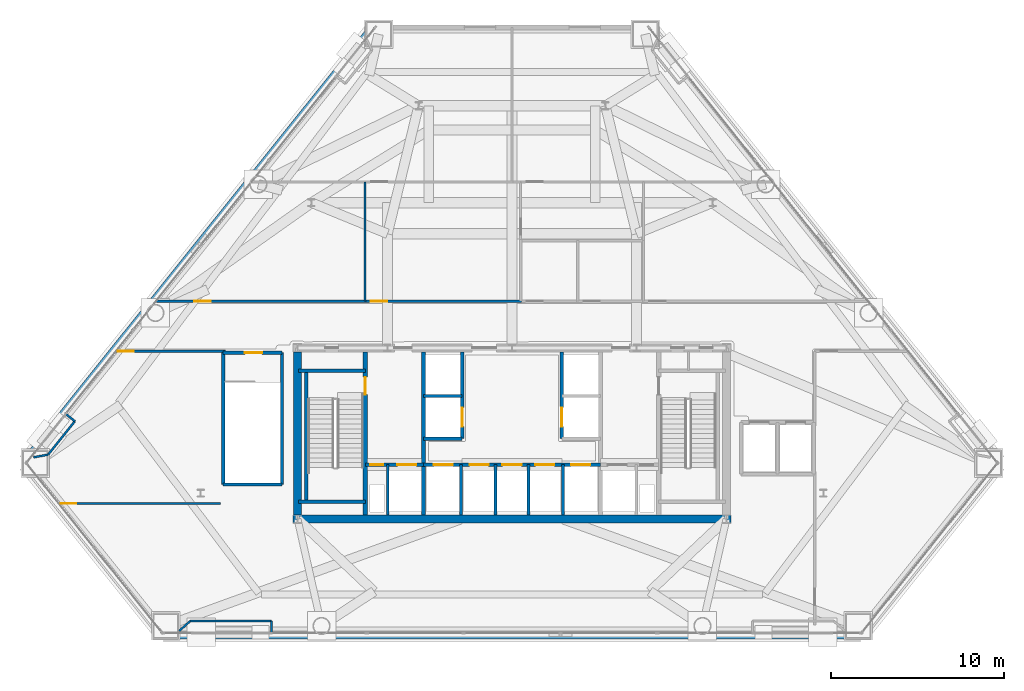
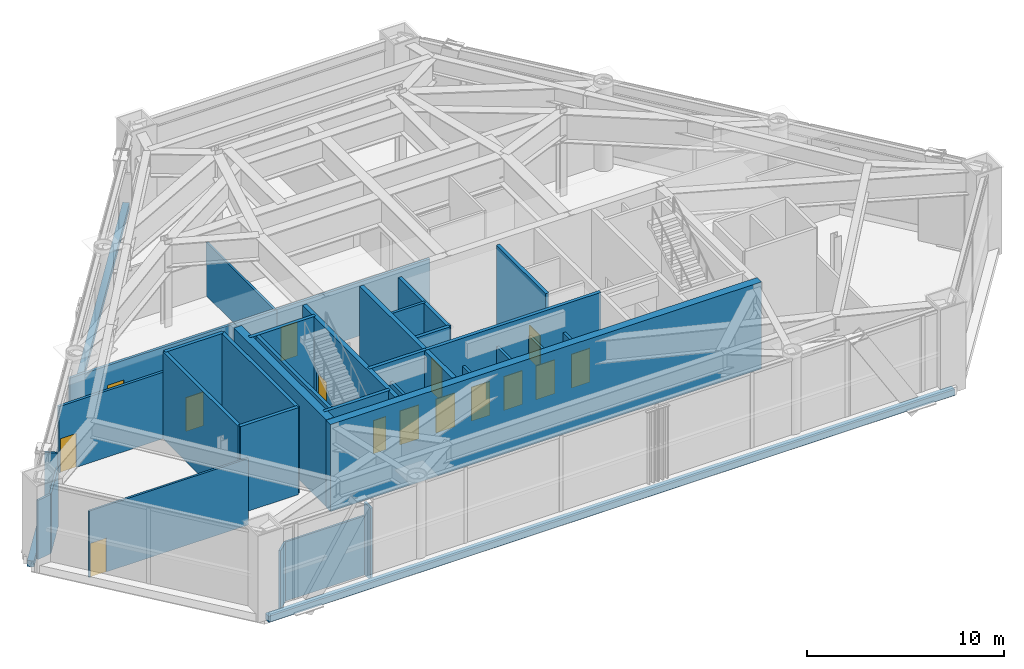
# One storey, part 8 of 13: 35 walls, 15 doors, 15 openings.
"""IFC4 building model written with IfcOpenShell, lengths in metres."""

import ifcopenshell
import ifcopenshell.guid

model = None  # the IFC model being written
_history = None  # IfcOwnerHistory: only IFC2X3 demands one
_inside = {}  # id of a spatial element -> (the spatial element, [elements in it])
_under = {}  # id of a project, library or spatial element -> (it, [spatial elements below it])
_declared = {}  # id of a project -> (the project, [libraries it declares])
_typed = {}  # id of a type object -> (the type object, [elements of that type])
_made_of = {}  # id of a material, layer set ... -> (it, [elements and type objects made of it])


def new_model(schema):
    """Start an empty IFC model of exactly this schema.

    Asked for "IFC4X3", IfcOpenShell would pick the latest addendum, in which some entities
    have other attributes; the version numbers below select the first issue.
    IFC2X3 requires an IfcOwnerHistory on every rooted entity: one is made here for all.
    """
    global model, _history
    if schema == "IFC4X3":
        model = ifcopenshell.file(schema_version=(4, 3, 0, 0))
    else:
        model = ifcopenshell.file(schema=schema)
    _inside.clear()
    _under.clear()
    _declared.clear()
    _typed.clear()
    _made_of.clear()
    _history = None
    if model.schema == "IFC2X3":
        org = make("IfcOrganization", Name="unknown")
        user = make(
            "IfcPersonAndOrganization",
            ThePerson=make("IfcPerson", FamilyName="unknown"),
            TheOrganization=org,
        )
        app = make(
            "IfcApplication",
            ApplicationDeveloper=org,
            Version="unknown",
            ApplicationFullName="unknown",
            ApplicationIdentifier="unknown",
        )
        _history = make(
            "IfcOwnerHistory",
            OwningUser=user,
            OwningApplication=app,
            ChangeAction="ADDED",
            CreationDate=0,
        )
    return model


def make(cls, **values):
    """One entity of the class cls with the attributes given. An attribute that is None is left unset."""
    return model.create_entity(
        cls, **{name: value for name, value in values.items() if value is not None}
    )


def rooted(cls, **values):
    """An entity with a GlobalId (a new one), such as an element, a storey or a relation."""
    return make(cls, GlobalId=ifcopenshell.guid.new(), OwnerHistory=_history, **values)


def si_unit(unit_type, name, prefix=None):
    """IfcSIUnit, for example si_unit("LENGTHUNIT", "METRE", prefix="MILLI")."""
    return make("IfcSIUnit", UnitType=unit_type, Prefix=prefix, Name=name)


def assignment(units):
    """IfcUnitAssignment: the units of a project."""
    return None if units is None else make("IfcUnitAssignment", Units=units)


def point(xyz):
    """IfcCartesianPoint."""
    return None if xyz is None else make("IfcCartesianPoint", Coordinates=xyz)


def direction(xyz):
    """IfcDirection."""
    return None if xyz is None else make("IfcDirection", DirectionRatios=xyz)


def frame(location, z_axis=None, x_axis=None):
    """IfcAxis2Placement3D, a coordinate frame: its origin and axes. An axis left out is left unset."""
    return make(
        "IfcAxis2Placement3D",
        Location=point(location),
        Axis=direction(z_axis),
        RefDirection=direction(x_axis),
    )


def frame_2d(location, x_axis=None):
    """IfcAxis2Placement2D, a coordinate frame in the plane: its origin and x axis."""
    return make(
        "IfcAxis2Placement2D", Location=point(location), RefDirection=direction(x_axis)
    )


def origin():
    """The frame at (0, 0, 0) with its axes left unset."""
    return frame((0.0, 0.0, 0.0))


def place(relative_to, where):
    """IfcLocalPlacement: puts the frame where relative to a parent placement (None: the world)."""
    return make(
        "IfcLocalPlacement", PlacementRelTo=relative_to, RelativePlacement=where
    )


def context(
    kind, dimensions, precision=None, world=None, true_north=None, identifier=None
):
    """IfcGeometricRepresentationContext, for example the 3D "Model" context."""
    return make(
        "IfcGeometricRepresentationContext",
        ContextIdentifier=identifier,
        ContextType=kind,
        CoordinateSpaceDimension=dimensions,
        Precision=precision,
        WorldCoordinateSystem=world,
        TrueNorth=true_north,
    )


def subcontext(parent, identifier, kind, view, scale=None):
    """IfcGeometricRepresentationSubContext, for example "Body" below "Model"."""
    return make(
        "IfcGeometricRepresentationSubContext",
        ContextIdentifier=identifier,
        ContextType=kind,
        ParentContext=parent,
        TargetScale=scale,
        TargetView=view,
    )


def project(units=None, contexts=None):
    """IfcProject with its units and contexts."""
    return rooted(
        "IfcProject",
        Name="project",
        RepresentationContexts=contexts,
        UnitsInContext=assignment(units),
    )


def spatial(cls, under=None, at=None, **own):
    """A site, building, storey or space (cls), placed at a placement, below another one or the project."""
    s = rooted(cls, ObjectPlacement=at, **own)
    if under is not None:
        _under.setdefault(under.id(), (under, []))[1].append(s)
    return s


def profile(cls, at=None, kind="AREA", **sizes):
    """A parametric profile (cls). Its sizes go by their IFC names, for example OverallWidth=200.0."""
    return make(cls, ProfileType=kind, Position=at, **sizes)


def rectangle(**sizes):
    """IfcRectangleProfileDef."""
    return profile("IfcRectangleProfileDef", **sizes)


def extrude(swept, where, along, depth):
    """IfcExtrudedAreaSolid: the profile swept, set in the frame where, extruded along a direction by depth."""
    return make(
        "IfcExtrudedAreaSolid",
        SweptArea=swept,
        Position=where,
        ExtrudedDirection=direction(along),
        Depth=depth,
    )


def shape(context_of_items, identifier, shape_type, items):
    """IfcShapeRepresentation: the items that make up one representation, for example the "Body"."""
    return make(
        "IfcShapeRepresentation",
        ContextOfItems=context_of_items,
        RepresentationIdentifier=identifier,
        RepresentationType=shape_type,
        Items=items,
    )


def material(Name=None, Category=None):
    """IfcMaterial."""
    return make("IfcMaterial", Name=Name, Category=Category)


def layer(
    of_material, thickness, ventilated=None, Name=None, Category=None, Priority=None
):
    """IfcMaterialLayer: one layer of a wall or slab, of a material (None: an air gap)."""
    return make(
        "IfcMaterialLayer",
        Material=of_material,
        LayerThickness=thickness,
        IsVentilated=ventilated,
        Name=Name,
        Category=Category,
        Priority=Priority,
    )


def layer_set(layers, Name=None):
    """IfcMaterialLayerSet."""
    return make("IfcMaterialLayerSet", MaterialLayers=layers, LayerSetName=Name)


def made_of(thing, what):
    """Note that an element or type object is made of a material, layer set ...; save() writes the relation."""
    if what is not None:
        _made_of.setdefault(what.id(), (what, []))[1].append(thing)
    return thing


def type_object(cls, material=None, **own):
    """A type object (cls), such as IfcWallType, which elements share."""
    return made_of(rooted(cls, **own), material)


def element(
    cls,
    number,
    at=None,
    inside=None,
    cuts=None,
    type_object=None,
    material=None,
    context=None,
    identifier="Body",
    shape_type=None,
    held_by="IfcProductDefinitionShape",
    body=None,
    shapes=None,
    **own,
):
    """One element of the class cls, such as IfcWall. Its Tag is "e" and its number.

    at: its placement. inside: the storey or other place that contains it. cuts: it is an
    opening in that element (IfcRelVoidsElement). A single representation is given by context,
    identifier, shape_type and body (its items); several are given by shapes. held_by: the class
    of the entity that holds the representations. save() writes the other relations.
    """
    e = rooted(cls, Tag="e%d" % number, ObjectPlacement=at, **own)
    if body is not None:
        shapes = [shape(context, identifier, shape_type, body)]
    if shapes is not None:
        e.Representation = make(held_by, Representations=shapes)
    if inside is not None:
        _inside.setdefault(inside.id(), (inside, []))[1].append(e)
    if cuts is not None:
        rooted(
            "IfcRelVoidsElement", RelatingBuildingElement=cuts, RelatedOpeningElement=e
        )
    if type_object is not None:
        _typed.setdefault(type_object.id(), (type_object, []))[1].append(e)
    return made_of(e, material)


def fill(opening, filler):
    """IfcRelFillsElement: the door or window that sits in an opening."""
    return rooted(
        "IfcRelFillsElement",
        RelatingOpeningElement=opening,
        RelatedBuildingElement=filler,
    )


def aggregate(whole, parts):
    """IfcRelAggregates: a whole, such as a stair, and the parts it consists of."""
    return rooted("IfcRelAggregates", RelatingObject=whole, RelatedObjects=parts)


def save(model, path):
    """Write the relations noted so far, then the file.

    IfcRelAggregates (storeys below a building ...), IfcRelContainedInSpatialStructure (elements
    in a storey), IfcRelDefinesByType, IfcRelAssociatesMaterial and IfcRelDeclares: one each for
    every whole, place, type object, material and project.
    """
    for whole, parts in _under.values():
        aggregate(whole, parts)
    for where, things in _inside.values():
        rooted(
            "IfcRelContainedInSpatialStructure",
            RelatedElements=things,
            RelatingStructure=where,
        )
    for kind, things in _typed.values():
        rooted("IfcRelDefinesByType", RelatedObjects=things, RelatingType=kind)
    for what, things in _made_of.values():
        rooted("IfcRelAssociatesMaterial", RelatedObjects=things, RelatingMaterial=what)
    for by, libraries in _declared.values():
        rooted("IfcRelDeclares", RelatingContext=by, RelatedDefinitions=libraries)
    model.write(path)


model = new_model("IFC4")

# Units and contexts
model_context = context("Model", 3, precision=1e-05, world=origin(), true_north=direction((0.0, 1.0)))
body_context = subcontext(model_context, "Body", "Model", "MODEL_VIEW")
ifc_project = project(units=[si_unit("LENGTHUNIT", "METRE"), si_unit("AREAUNIT", "SQUARE_METRE"), si_unit("VOLUMEUNIT", "CUBIC_METRE"), si_unit("PLANEANGLEUNIT", "RADIAN"), si_unit("MASSUNIT", "GRAM", prefix="KILO")], contexts=[model_context])

# Site, building, storey
site_placement = place(None, origin())
site = spatial("IfcSite", under=ifc_project, at=site_placement, CompositionType="ELEMENT")
building_placement = place(site_placement, origin())
building = spatial("IfcBuilding", under=site, at=building_placement, Name="Talgorran Terracotta Tower", CompositionType="ELEMENT")
storey_placement = place(building_placement, frame((0.0, 0.0, 18.89990234375)))
storey = spatial("IfcBuildingStorey", under=building, at=storey_placement, Name="L04", CompositionType="ELEMENT", Elevation=18.89990234375)

# Walls
ifc_material_1 = material(Name="Concrete C50/60", Category="concrete")
ifc_layer_1 = layer(ifc_material_1, 0.199951171875, Name="WT_CORE_200")
ifc_layer_set_1 = layer_set([ifc_layer_1], Name="Concrete C50/60")
wall_type_1 = type_object("IfcWallType", Name="WT_CORE_200", PredefinedType="SOLIDWALL", material=ifc_layer_set_1)
for number, where, z_axis, x_axis, name in (
    (1, (-12.35009765625, -5.52001953125, 0.0), (0.0, 0.0, 1.0), (1.0, 0.0, 0.0), "WL-L04-CW-ST1-N"),
    (2, (-12.35009765625, -13.10009765625, 0.0), (0.0, 0.0, 1.0), (1.0, 0.0, 0.0), "WL-L04-CW-ST1-S"),
):
    element("IfcWall", number, at=place(storey_placement, frame(where, z_axis=z_axis, x_axis=x_axis)), inside=storey, type_object=wall_type_1, Name=name, PredefinedType="SOLIDWALL", context=body_context, shape_type="SweptSolid", body=[
        extrude(rectangle(XDim=3.8701171875, YDim=0.199951171875, at=frame_2d((1.93505859375, 0.0))), origin(), (0.0, 0.0, 1.0), 5.400146484375),
    ])
wall_1_placement = place(storey_placement, frame((-11.89990234375, -13.10009765625, 0.0), z_axis=(0.0, 0.0, 1.0), x_axis=(0.0, 1.0, 0.0)))
element("IfcWall", 3, at=wall_1_placement, inside=storey, type_object=wall_type_1, Name="WL-L04-CW-ST1-W", PredefinedType="SOLIDWALL", context=body_context, shape_type="SweptSolid", body=[
    extrude(rectangle(XDim=7.580078125, YDim=0.199951171875, at=frame_2d((3.7900390625, 0.0))), origin(), (0.0, 0.0, 1.0), 5.400146484375),
])

# Wall, openings, doors
wall_2_placement = place(storey_placement, frame((-8.47998046875, -10.949951171875, 0.0), z_axis=(0.0, 0.0, 1.0), x_axis=(1.0, 0.0, 0.0)))
wall_2 = element("IfcWall", 4, at=wall_2_placement, inside=storey, type_object=wall_type_1, Name="WL-L04-CW-H-SBW", PredefinedType="SOLIDWALL", context=body_context, shape_type="SweptSolid", body=[
    extrude(rectangle(XDim=3.35986328125, YDim=0.199951171875, at=frame_2d((1.679931640625, 0.0))), origin(), (0.0, 0.0, 1.0), 5.400146484375),
])
opening_1_placement = place(wall_2_placement, frame((0.280029296875, 0.0, 0.0)))
opening_1 = element("IfcOpeningElement", 5, at=opening_1_placement, cuts=wall_2, Name="Opening DR-RSW", PredefinedType="OPENING", context=body_context, shape_type="SweptSolid", body=[
    extrude(rectangle(XDim=0.756, YDim=2.054048828125, at=frame_2d((0.375, 1.027099609375))), frame((0.0, 0.10986328125, 0.0), z_axis=(0.0, -1.0, 0.0), x_axis=(1.0, 0.0, 0.0)), (0.0, 0.0, 1.0), 0.219970703125),
])
opening_2_placement = place(wall_2_placement, frame((1.85009765625, 0.0, 0.0)))
opening_2 = element("IfcOpeningElement", 6, at=opening_2_placement, cuts=wall_2, Name="Opening LD-FFL1", PredefinedType="OPENING", context=body_context, shape_type="SweptSolid", body=[
    extrude(rectangle(XDim=1.10609765625, YDim=2.10409765625, at=frame_2d((0.550048828125, 1.052001953125))), frame((0.0, 0.10986328125, 0.0), z_axis=(0.0, -1.0, 0.0), x_axis=(1.0, 0.0, 0.0)), (0.0, 0.0, 1.0), 0.219970703125),
])
ifc_material_2 = material(Name="Brushed Stainless Steel Grade 304", Category="steel")
door_type_1 = type_object("IfcDoorType", Name="DT_LIFT_LD1100", OperationType="DOUBLE_DOOR_SLIDING", PredefinedType="DOOR", material=ifc_material_2)
door_1_placement = place(opening_2_placement, origin())
door_1 = element("IfcDoor", 7, at=door_1_placement, inside=storey, type_object=door_type_1, Name="L04 Lift Landing Door LD-FFL1", OperationType="DOUBLE_DOOR_SLIDING", OverallHeight=2.10009765625, OverallWidth=1.10009765625, PredefinedType="DOOR", context=body_context, shape_type="SweptSolid", body=[
    extrude(rectangle(XDim=1.10009765625, YDim=2.10009765625, at=frame_2d((0.550048828125, 1.050048828125))), frame((0.0, 0.02490234375, 0.0), z_axis=(0.0, -1.0, 0.0), x_axis=(1.0, 0.0, 0.0)), (0.0, 0.0, 1.0), 0.050048828125),
])
fill(opening_2, door_1)
ifc_material_3 = material(Name="Fire-Rated Pressed Steel", Category="steel")
door_type_2 = type_object("IfcDoorType", Name="DT_RISER_750", OperationType="NOTDEFINED", PredefinedType="DOOR", material=ifc_material_3)
door_2_placement = place(opening_1_placement, origin())
door_2 = element("IfcDoor", 8, at=door_2_placement, inside=storey, type_object=door_type_2, Name="DR-RSW", OperationType="SINGLE_SWING_LEFT", OverallHeight=2.050048828125, OverallWidth=0.75, PredefinedType="DOOR", context=body_context, shape_type="SweptSolid", body=[
    extrude(rectangle(XDim=0.75, YDim=2.050048828125, at=frame_2d((0.375, 1.02490234375))), frame((0.0, 0.02490234375, 0.0), z_axis=(0.0, -1.0, 0.0), x_axis=(1.0, 0.0, 0.0)), (0.0, 0.0, 1.0), 0.050048828125),
])
fill(opening_1, door_2)

wall_3_placement = place(storey_placement, frame((-5.1201171875, -10.949951171875, 0.0), z_axis=(0.0, 0.0, 1.0), x_axis=(1.0, 0.0, 0.0)))
wall_3 = element("IfcWall", 9, at=wall_3_placement, inside=storey, type_object=wall_type_1, Name="WL-L04-CW-H-SBC", PredefinedType="SOLIDWALL", context=body_context, shape_type="SweptSolid", body=[
    extrude(rectangle(XDim=10.240234375, YDim=0.199951171875, at=frame_2d((5.1201171875, 0.0))), origin(), (0.0, 0.0, 1.0), 5.400146484375),
])
opening_3_placement = place(wall_3_placement, frame((0.60009765625, 0.0, 0.0)))
opening_3 = element("IfcOpeningElement", 10, at=opening_3_placement, cuts=wall_3, Name="Opening LD-OB1", PredefinedType="OPENING", context=body_context, shape_type="SweptSolid", body=[
    extrude(rectangle(XDim=1.10609765625, YDim=2.10409765625, at=frame_2d((0.550048828125, 1.052001953125))), frame((0.0, 0.10986328125, 0.0), z_axis=(0.0, -1.0, 0.0), x_axis=(1.0, 0.0, 0.0)), (0.0, 0.0, 1.0), 0.219970703125),
])
opening_4_placement = place(wall_3_placement, frame((2.669921875, 0.0, 0.0)))
opening_4 = element("IfcOpeningElement", 11, at=opening_4_placement, cuts=wall_3, Name="Opening LD-PLH1", PredefinedType="OPENING", context=body_context, shape_type="SweptSolid", body=[
    extrude(rectangle(XDim=1.10609765625, YDim=2.10409765625, at=frame_2d((0.550048828125, 1.052001953125))), frame((0.0, 0.10986328125, 0.0), z_axis=(0.0, -1.0, 0.0), x_axis=(1.0, 0.0, 0.0)), (0.0, 0.0, 1.0), 0.219970703125),
])
opening_5_placement = place(wall_3_placement, frame((4.570068359375, 0.0, 0.0)))
opening_5 = element("IfcOpeningElement", 12, at=opening_5_placement, cuts=wall_3, Name="Opening LD-PLH2", PredefinedType="OPENING", context=body_context, shape_type="SweptSolid", body=[
    extrude(rectangle(XDim=1.10609765625, YDim=2.10409765625, at=frame_2d((0.550048828125, 1.052001953125))), frame((0.0, 0.10986328125, 0.0), z_axis=(0.0, -1.0, 0.0), x_axis=(1.0, 0.0, 0.0)), (0.0, 0.0, 1.0), 0.219970703125),
])
opening_6_placement = place(wall_3_placement, frame((6.469970703125, 0.0, 0.0)))
opening_6 = element("IfcOpeningElement", 13, at=opening_6_placement, cuts=wall_3, Name="Opening LD-PLH3", PredefinedType="OPENING", context=body_context, shape_type="SweptSolid", body=[
    extrude(rectangle(XDim=1.10609765625, YDim=2.10409765625, at=frame_2d((0.550048828125, 1.052001953125))), frame((0.0, 0.10986328125, 0.0), z_axis=(0.0, -1.0, 0.0), x_axis=(1.0, 0.0, 0.0)), (0.0, 0.0, 1.0), 0.219970703125),
])
opening_7_placement = place(wall_3_placement, frame((8.5400390625, 0.0, 0.0)))
opening_7 = element("IfcOpeningElement", 14, at=opening_7_placement, cuts=wall_3, Name="Opening LD-SVL1", PredefinedType="OPENING", context=body_context, shape_type="SweptSolid", body=[
    extrude(rectangle(XDim=1.10609765625, YDim=2.10409765625, at=frame_2d((0.550048828125, 1.052001953125))), frame((0.0, 0.10986328125, 0.0), z_axis=(0.0, -1.0, 0.0), x_axis=(1.0, 0.0, 0.0)), (0.0, 0.0, 1.0), 0.219970703125),
])
door_3_placement = place(opening_3_placement, origin())
door_3 = element("IfcDoor", 15, at=door_3_placement, inside=storey, type_object=door_type_1, Name="L04 Lift Landing Door LD-OB1", OperationType="DOUBLE_DOOR_SLIDING", OverallHeight=2.10009765625, OverallWidth=1.10009765625, PredefinedType="DOOR", context=body_context, shape_type="SweptSolid", body=[
    extrude(rectangle(XDim=1.10009765625, YDim=2.10009765625, at=frame_2d((0.550048828125, 1.050048828125))), frame((0.0, 0.02490234375, 0.0), z_axis=(0.0, -1.0, 0.0), x_axis=(1.0, 0.0, 0.0)), (0.0, 0.0, 1.0), 0.050048828125),
])
fill(opening_3, door_3)
door_4_placement = place(opening_4_placement, origin())
door_4 = element("IfcDoor", 16, at=door_4_placement, inside=storey, type_object=door_type_1, Name="L04 Lift Landing Door LD-PLH1", OperationType="DOUBLE_DOOR_SLIDING", OverallHeight=2.10009765625, OverallWidth=1.10009765625, PredefinedType="DOOR", context=body_context, shape_type="SweptSolid", body=[
    extrude(rectangle(XDim=1.10009765625, YDim=2.10009765625, at=frame_2d((0.550048828125, 1.050048828125))), frame((0.0, 0.02490234375, 0.0), z_axis=(0.0, -1.0, 0.0), x_axis=(1.0, 0.0, 0.0)), (0.0, 0.0, 1.0), 0.050048828125),
])
fill(opening_4, door_4)
door_5_placement = place(opening_5_placement, origin())
door_5 = element("IfcDoor", 17, at=door_5_placement, inside=storey, type_object=door_type_1, Name="L04 Lift Landing Door LD-PLH2", OperationType="DOUBLE_DOOR_SLIDING", OverallHeight=2.10009765625, OverallWidth=1.10009765625, PredefinedType="DOOR", context=body_context, shape_type="SweptSolid", body=[
    extrude(rectangle(XDim=1.10009765625, YDim=2.10009765625, at=frame_2d((0.550048828125, 1.050048828125))), frame((0.0, 0.02490234375, 0.0), z_axis=(0.0, -1.0, 0.0), x_axis=(1.0, 0.0, 0.0)), (0.0, 0.0, 1.0), 0.050048828125),
])
fill(opening_5, door_5)
door_6_placement = place(opening_6_placement, origin())
door_6 = element("IfcDoor", 18, at=door_6_placement, inside=storey, type_object=door_type_1, Name="L04 Lift Landing Door LD-PLH3", OperationType="DOUBLE_DOOR_SLIDING", OverallHeight=2.10009765625, OverallWidth=1.10009765625, PredefinedType="DOOR", context=body_context, shape_type="SweptSolid", body=[
    extrude(rectangle(XDim=1.10009765625, YDim=2.10009765625, at=frame_2d((0.550048828125, 1.050048828125))), frame((0.0, 0.02490234375, 0.0), z_axis=(0.0, -1.0, 0.0), x_axis=(1.0, 0.0, 0.0)), (0.0, 0.0, 1.0), 0.050048828125),
])
fill(opening_6, door_6)
door_7_placement = place(opening_7_placement, origin())
door_7 = element("IfcDoor", 19, at=door_7_placement, inside=storey, type_object=door_type_1, Name="L04 Lift Landing Door LD-SVL1", OperationType="DOUBLE_DOOR_SLIDING", OverallHeight=2.10009765625, OverallWidth=1.10009765625, PredefinedType="DOOR", context=body_context, shape_type="SweptSolid", body=[
    extrude(rectangle(XDim=1.10009765625, YDim=2.10009765625, at=frame_2d((0.550048828125, 1.050048828125))), frame((0.0, 0.02490234375, 0.0), z_axis=(0.0, -1.0, 0.0), x_axis=(1.0, 0.0, 0.0)), (0.0, 0.0, 1.0), 0.050048828125),
])
fill(opening_7, door_7)

# Wall, opening, door
wall_4_placement = place(storey_placement, frame((-2.8798828125, -9.449951171875, 0.0), z_axis=(0.0, 0.0, 1.0), x_axis=(0.0, 1.0, 0.0)))
wall_4 = element("IfcWall", 20, at=wall_4_placement, inside=storey, type_object=wall_type_1, Name="WL-L04-CW-V-W3", PredefinedType="SOLIDWALL", context=body_context, shape_type="SweptSolid", body=[
    extrude(rectangle(XDim=5.0, YDim=0.199951171875, at=frame_2d((2.5, 0.0))), origin(), (0.0, 0.0, 1.0), 5.150146484375),
])
opening_8_placement = place(wall_4_placement, frame((0.699951171875, 0.0, 0.0)))
opening_8 = element("IfcOpeningElement", 21, at=opening_8_placement, cuts=wall_4, Name="Opening LD-PLL1", PredefinedType="OPENING", context=body_context, shape_type="SweptSolid", body=[
    extrude(rectangle(XDim=1.10609765625, YDim=2.10409765625, at=frame_2d((0.550048828125, 1.052001953125))), frame((0.0, 0.10986328125, 0.0), z_axis=(0.0, -1.0, 0.0), x_axis=(1.0, 0.0, 0.0)), (0.0, 0.0, 1.0), 0.219970703125),
])
door_8_placement = place(opening_8_placement, origin())
door_8 = element("IfcDoor", 22, at=door_8_placement, inside=storey, type_object=door_type_1, Name="L04 Lift Landing Door LD-PLL1", OperationType="DOUBLE_DOOR_SLIDING", OverallHeight=2.10009765625, OverallWidth=1.10009765625, PredefinedType="DOOR", context=body_context, shape_type="SweptSolid", body=[
    extrude(rectangle(XDim=1.10009765625, YDim=2.10009765625, at=frame_2d((0.550048828125, 1.050048828125))), frame((0.0, 0.02490234375, 0.0), z_axis=(0.0, -1.0, 0.0), x_axis=(1.0, 0.0, 0.0)), (0.0, 0.0, 1.0), 0.050048828125),
])
fill(opening_8, door_8)

# Wall
wall_5_placement = place(storey_placement, frame((-5.1201171875, -9.449951171875, 0.0), z_axis=(0.0, 0.0, 1.0), x_axis=(1.0, 0.0, 0.0)))
element("IfcWall", 23, at=wall_5_placement, inside=storey, type_object=wall_type_1, Name="WL-L04-CW-H-W4", PredefinedType="SOLIDWALL", context=body_context, shape_type="SweptSolid", body=[
    extrude(rectangle(XDim=2.240234375, YDim=0.199951171875, at=frame_2d((1.1201171875, 0.0))), origin(), (0.0, 0.0, 1.0), 5.150146484375),
])

# Wall, opening, door
wall_6_placement = place(storey_placement, frame((2.8798828125, -9.449951171875, 0.0), z_axis=(0.0, 0.0, 1.0), x_axis=(0.0, 1.0, 0.0)))
wall_6 = element("IfcWall", 24, at=wall_6_placement, inside=storey, type_object=wall_type_1, Name="WL-L04-CW-V-E3", PredefinedType="SOLIDWALL", context=body_context, shape_type="SweptSolid", body=[
    extrude(rectangle(XDim=5.0, YDim=0.199951171875, at=frame_2d((2.5, 0.0))), origin(), (0.0, 0.0, 1.0), 5.150146484375),
])
opening_9_placement = place(wall_6_placement, frame((0.699951171875, 0.0, 0.0)))
opening_9 = element("IfcOpeningElement", 25, at=opening_9_placement, cuts=wall_6, Name="Opening LD-PLM1", PredefinedType="OPENING", context=body_context, shape_type="SweptSolid", body=[
    extrude(rectangle(XDim=1.10609765625, YDim=2.10409765625, at=frame_2d((0.550048828125, 1.052001953125))), frame((0.0, 0.10986328125, 0.0), z_axis=(0.0, -1.0, 0.0), x_axis=(1.0, 0.0, 0.0)), (0.0, 0.0, 1.0), 0.219970703125),
])
door_9_placement = place(opening_9_placement, origin())
door_9 = element("IfcDoor", 26, at=door_9_placement, inside=storey, type_object=door_type_1, Name="L04 Lift Landing Door LD-PLM1", OperationType="DOUBLE_DOOR_SLIDING", OverallHeight=2.10009765625, OverallWidth=1.10009765625, PredefinedType="DOOR", context=body_context, shape_type="SweptSolid", body=[
    extrude(rectangle(XDim=1.10009765625, YDim=2.10009765625, at=frame_2d((0.550048828125, 1.050048828125))), frame((0.0, 0.02490234375, 0.0), z_axis=(0.0, -1.0, 0.0), x_axis=(1.0, 0.0, 0.0)), (0.0, 0.0, 1.0), 0.050048828125),
])
fill(opening_9, door_9)

# Walls
for number, where, z_axis, x_axis, name in (
    (27, (-16.699951171875, -12.10009765625, 0.0), (0.0, 0.0, 1.0), (0.0, 1.0, 0.0), "WL-L04-PW-ST3-W"),
    (28, (-13.300048828125, -12.10009765625, 0.0), (0.0, 0.0, 1.0), (0.0, 1.0, 0.0), "WL-L04-PW-ST3-E"),
):
    element("IfcWall", number, at=place(storey_placement, frame(where, z_axis=z_axis, x_axis=x_axis)), inside=storey, type_object=wall_type_1, Name=name, PredefinedType="SOLIDWALL", context=body_context, shape_type="SweptSolid", body=[
        extrude(rectangle(XDim=7.6201171875, YDim=0.199951171875, at=frame_2d((3.81005859375, 0.0))), origin(), (0.0, 0.0, 1.0), 5.400146484375),
    ])
wall_7_placement = place(storey_placement, frame((-16.699951171875, -12.10009765625, 0.0), z_axis=(0.0, 0.0, 1.0), x_axis=(1.0, 0.0, 0.0)))
element("IfcWall", 29, at=wall_7_placement, inside=storey, type_object=wall_type_1, Name="WL-L04-PW-ST3-S", PredefinedType="SOLIDWALL", context=body_context, shape_type="SweptSolid", body=[
    extrude(rectangle(XDim=3.39990234375, YDim=0.199951171875, at=frame_2d((1.699951171875, 0.0))), origin(), (0.0, 0.0, 1.0), 5.400146484375),
])

# Wall, opening, door
wall_8_placement = place(storey_placement, frame((-16.699951171875, -4.47998046875, 0.0), z_axis=(0.0, 0.0, 1.0), x_axis=(1.0, 0.0, 0.0)))
wall_8 = element("IfcWall", 30, at=wall_8_placement, inside=storey, type_object=wall_type_1, Name="WL-L04-PW-ST3-N", PredefinedType="SOLIDWALL", context=body_context, shape_type="SweptSolid", body=[
    extrude(rectangle(XDim=3.39990234375, YDim=0.199951171875, at=frame_2d((1.699951171875, 0.0))), origin(), (0.0, 0.0, 1.0), 5.400146484375),
])
opening_10_placement = place(wall_8_placement, frame((1.25, 0.0, 0.0)))
opening_10 = element("IfcOpeningElement", 31, at=opening_10_placement, cuts=wall_8, Name="Opening DR-ST03", PredefinedType="OPENING", context=body_context, shape_type="SweptSolid", body=[
    extrude(rectangle(XDim=1.006, YDim=2.10409765625, at=frame_2d((0.5, 1.052001953125))), frame((0.0, 0.10986328125, 0.0), z_axis=(0.0, -1.0, 0.0), x_axis=(1.0, 0.0, 0.0)), (0.0, 0.0, 1.0), 0.219970703125),
])
door_type_3 = type_object("IfcDoorType", Name="DT_FIRE_1000", OperationType="NOTDEFINED", PredefinedType="DOOR", material=ifc_material_3)
door_10_placement = place(opening_10_placement, origin())
door_10 = element("IfcDoor", 32, at=door_10_placement, inside=storey, type_object=door_type_3, Name="DR-ST03", OperationType="SINGLE_SWING_LEFT", OverallHeight=2.10009765625, OverallWidth=1.0, PredefinedType="DOOR", context=body_context, shape_type="SweptSolid", body=[
    extrude(rectangle(XDim=1.0, YDim=2.10009765625, at=frame_2d((0.5, 1.050048828125))), frame((0.0, 0.02490234375, 0.0), z_axis=(0.0, -1.0, 0.0), x_axis=(1.0, 0.0, 0.0)), (0.0, 0.0, 1.0), 0.050048828125),
])
fill(opening_10, door_10)

ifc_layer_2 = layer(ifc_material_1, 0.25, Name="WT_CORE_250")
ifc_layer_set_2 = layer_set([ifc_layer_2], Name="Concrete C50/60")
wall_type_2 = type_object("IfcWallType", Name="WT_CORE_250", PredefinedType="SHEAR", material=ifc_layer_set_2)
wall_9_placement = place(storey_placement, frame((-8.47998046875, -13.85009765625, 0.0), z_axis=(0.0, 0.0, 1.0), x_axis=(0.0, 1.0, 0.0)))
wall_9 = element("IfcWall", 33, at=wall_9_placement, inside=storey, type_object=wall_type_2, Name="WL-L04-CW-V-W1", PredefinedType="SHEAR", context=body_context, shape_type="SweptSolid", body=[
    extrude(rectangle(XDim=9.400146484375, YDim=0.25, at=frame_2d((4.7001953125, 0.0))), origin(), (0.0, 0.0, 1.0), 5.400146484375),
])
opening_11_placement = place(wall_9_placement, frame((6.949951171875, 0.0, 0.0)))
opening_11 = element("IfcOpeningElement", 34, at=opening_11_placement, cuts=wall_9, Name="Opening DR-ST01", PredefinedType="OPENING", context=body_context, shape_type="SweptSolid", body=[
    extrude(rectangle(XDim=1.006, YDim=2.10409765625, at=frame_2d((0.5, 1.052001953125))), frame((0.0, 0.135009765625, 0.0), z_axis=(0.0, -1.0, 0.0), x_axis=(1.0, 0.0, 0.0)), (0.0, 0.0, 1.0), 0.27001953125),
])
door_11_placement = place(opening_11_placement, origin())
door_11 = element("IfcDoor", 35, at=door_11_placement, inside=storey, type_object=door_type_3, Name="DR-ST01", OperationType="SINGLE_SWING_LEFT", OverallHeight=2.10009765625, OverallWidth=1.0, PredefinedType="DOOR", context=body_context, shape_type="SweptSolid", body=[
    extrude(rectangle(XDim=1.0, YDim=2.10009765625, at=frame_2d((0.5, 1.050048828125))), frame((0.0, 0.02490234375, 0.0), z_axis=(0.0, -1.0, 0.0), x_axis=(1.0, 0.0, 0.0)), (0.0, 0.0, 1.0), 0.050048828125),
])
fill(opening_11, door_11)

# Walls
wall_10_placement = place(storey_placement, frame((-5.1201171875, -13.85009765625, 0.0), z_axis=(0.0, 0.0, 1.0), x_axis=(0.0, 1.0, 0.0)))
element("IfcWall", 36, at=wall_10_placement, inside=storey, type_object=wall_type_2, Name="WL-L04-CW-V-W2", PredefinedType="SHEAR", context=body_context, shape_type="SweptSolid", body=[
    extrude(rectangle(XDim=9.400146484375, YDim=0.25, at=frame_2d((4.7001953125, 0.0))), origin(), (0.0, 0.0, 1.0), 5.400146484375),
])
ifc_material_4 = material(Name="Concrete C65/80", Category="concrete")
ifc_layer_3 = layer(ifc_material_4, 0.449951171875, Name="WT_CORE_EXT")
ifc_layer_set_3 = layer_set([ifc_layer_3], Name="Concrete C65/80")
wall_type_3 = type_object("IfcWallType", Name="WT_CORE_EXT", PredefinedType="SHEAR", material=ifc_layer_set_3)
wall_11_placement = place(storey_placement, frame((-12.64990234375, -14.10009765625, 0.0), z_axis=(0.0, 0.0, 1.0), x_axis=(1.0, 0.0, 0.0)))
element("IfcWall", 37, at=wall_11_placement, inside=storey, type_object=wall_type_3, Name="WL-L04-CW-OUT-S", PredefinedType="SHEAR", context=body_context, shape_type="SweptSolid", body=[
    extrude(rectangle(XDim=25.2998046875, YDim=0.449951171875, at=frame_2d((12.64990234375, 0.0))), origin(), (0.0, 0.0, 1.0), 5.400146484375),
])
wall_12_placement = place(storey_placement, frame((-12.39990234375, -13.85009765625, 0.0), z_axis=(0.0, 0.0, 1.0), x_axis=(0.0, 1.0, 0.0)))
element("IfcWall", 38, at=wall_12_placement, inside=storey, type_object=wall_type_3, Name="WL-L04-CW-OUT-W", PredefinedType="SHEAR", context=body_context, shape_type="SweptSolid", body=[
    extrude(rectangle(XDim=9.400146484375, YDim=0.449951171875, at=frame_2d((4.7001953125, 0.0))), origin(), (0.0, 0.0, 1.0), 5.400146484375),
])

# Wall, opening, door
ifc_material_5 = material(Name="Fire-Rated Steel Stud Plasterboard", Category="steel")
ifc_layer_4 = layer(ifc_material_5, 0.14990234375, Name="WT_FIRE_150")
ifc_layer_set_4 = layer_set([ifc_layer_4], Name="Fire-Rated Steel Stud Plasterboard")
wall_type_4 = type_object("IfcWallType", Name="WT_FIRE_150", PredefinedType="PARTITIONING", material=ifc_layer_set_4)
wall_13_placement = place(storey_placement, frame((-20.589111328125, -1.5, 0.0), z_axis=(0.0, 0.0, 1.0), x_axis=(1.0, 0.0, 0.0)))
wall_13 = element("IfcWall", 39, at=wall_13_placement, inside=storey, type_object=wall_type_4, Name="WL-L04-W-L04-R04", PredefinedType="PARTITIONING", context=body_context, shape_type="SweptSolid", body=[
    extrude(rectangle(XDim=12.149169921875, YDim=0.14990234375, at=frame_2d((6.07470703125, 0.0))), origin(), (0.0, 0.0, 1.0), 3.3251953125),
])
opening_12_placement = place(wall_13_placement, frame((2.216064453125, 0.0, 0.0)))
opening_12 = element("IfcOpeningElement", 40, at=opening_12_placement, cuts=wall_13, Name="Opening DR-L04-R04", PredefinedType="OPENING", context=body_context, shape_type="SweptSolid", body=[
    extrude(rectangle(XDim=0.955951171875, YDim=2.10409765625, at=frame_2d((0.47509765625, 1.052001953125))), frame((0.0, 0.0849609375, 0.0), z_axis=(0.0, -1.0, 0.0), x_axis=(1.0, 0.0, 0.0)), (0.0, 0.0, 1.0), 0.169921875),
])
ifc_material_6 = material(Name="Fire-Rated Timber Core", Category="wood")
door_type_4 = type_object("IfcDoorType", Name="DT_FIRE_950", OperationType="NOTDEFINED", PredefinedType="DOOR", material=ifc_material_6)
door_12_placement = place(opening_12_placement, origin())
door_12 = element("IfcDoor", 41, at=door_12_placement, inside=storey, type_object=door_type_4, Name="DR-L04-R04", OperationType="SINGLE_SWING_RIGHT", OverallHeight=2.10009765625, OverallWidth=0.949951171875, PredefinedType="DOOR", context=body_context, shape_type="SweptSolid", body=[
    extrude(rectangle(XDim=0.949951171875, YDim=2.10009765625, at=frame_2d((0.47509765625, 1.050048828125))), frame((0.0, 0.02490234375, 0.0), z_axis=(0.0, -1.0, 0.0), x_axis=(1.0, 0.0, 0.0)), (0.0, 0.0, 1.0), 0.050048828125),
])
fill(opening_12, door_12)

wall_14_placement = place(storey_placement, frame((-8.43798828125, -1.5, 0.0), z_axis=(0.0, 0.0, 1.0), x_axis=(1.0, 0.0, 0.0)))
wall_14 = element("IfcWall", 42, at=wall_14_placement, inside=storey, type_object=wall_type_4, Name="WL-L04-W-L04-R05", PredefinedType="PARTITIONING", context=body_context, shape_type="SweptSolid", body=[
    extrude(rectangle(XDim=8.998046875, YDim=0.14990234375, at=frame_2d((4.4990234375, 0.0))), origin(), (0.0, 0.0, 1.0), 3.3251953125),
])
opening_13_placement = place(wall_14_placement, frame((0.27685546875, 0.0, 0.0)))
opening_13 = element("IfcOpeningElement", 43, at=opening_13_placement, cuts=wall_14, Name="Opening DR-L04-R05", PredefinedType="OPENING", context=body_context, shape_type="SweptSolid", body=[
    extrude(rectangle(XDim=0.955951171875, YDim=2.10409765625, at=frame_2d((0.47509765625, 1.052001953125))), frame((0.0, 0.0849609375, 0.0), z_axis=(0.0, -1.0, 0.0), x_axis=(1.0, 0.0, 0.0)), (0.0, 0.0, 1.0), 0.169921875),
])
door_13_placement = place(opening_13_placement, origin())
door_13 = element("IfcDoor", 44, at=door_13_placement, inside=storey, type_object=door_type_4, Name="DR-L04-R05", OperationType="SINGLE_SWING_LEFT", OverallHeight=2.10009765625, OverallWidth=0.949951171875, PredefinedType="DOOR", context=body_context, shape_type="SweptSolid", body=[
    extrude(rectangle(XDim=0.949951171875, YDim=2.10009765625, at=frame_2d((0.47509765625, 1.050048828125))), frame((0.0, 0.02490234375, 0.0), z_axis=(0.0, -1.0, 0.0), x_axis=(1.0, 0.0, 0.0)), (0.0, 0.0, 1.0), 0.050048828125),
])
fill(opening_13, door_13)

wall_15_placement = place(storey_placement, frame((-22.911865234375, -4.39990234375, 0.0), z_axis=(0.0, 0.0, 1.0), x_axis=(1.0, 0.0, 0.0)))
wall_15 = element("IfcWall", 45, at=wall_15_placement, inside=storey, type_object=wall_type_4, Name="WL-L04-W-L04-R01", PredefinedType="PARTITIONING", context=body_context, shape_type="SweptSolid", body=[
    extrude(rectangle(XDim=6.331787109375, YDim=0.14990234375, at=frame_2d((3.166015625, 0.0))), origin(), (0.0, 0.0, 1.0), 4.125),
])
opening_14_placement = place(wall_15_placement, frame((0.10009765625, 0.0, 0.0)))
opening_14 = element("IfcOpeningElement", 46, at=opening_14_placement, cuts=wall_15, Name="Opening DR-L04-R12", PredefinedType="OPENING", context=body_context, shape_type="SweptSolid", body=[
    extrude(rectangle(XDim=0.955951171875, YDim=2.10409765625, at=frame_2d((0.47509765625, 1.052001953125))), frame((0.0, 0.0849609375, 0.0), z_axis=(0.0, -1.0, 0.0), x_axis=(1.0, 0.0, 0.0)), (0.0, 0.0, 1.0), 0.169921875),
])
door_14_placement = place(opening_14_placement, origin())
door_14 = element("IfcDoor", 47, at=door_14_placement, inside=storey, type_object=door_type_4, Name="DR-L04-R12", OperationType="SINGLE_SWING_RIGHT", OverallHeight=2.10009765625, OverallWidth=0.949951171875, PredefinedType="DOOR", context=body_context, shape_type="SweptSolid", body=[
    extrude(rectangle(XDim=0.949951171875, YDim=2.10009765625, at=frame_2d((0.47509765625, 1.050048828125))), frame((0.0, 0.02490234375, 0.0), z_axis=(0.0, -1.0, 0.0), x_axis=(1.0, 0.0, 0.0)), (0.0, 0.0, 1.0), 0.050048828125),
])
fill(opening_14, door_14)

# Walls
ifc_material_7 = material(Name="Concrete C40/50", Category="concrete")
ifc_layer_5 = layer(ifc_material_7, 0.219970703125, Name="WT_PARAPET_RC")
ifc_layer_set_5 = layer_set([ifc_layer_5], Name="Concrete C40/50")
wall_type_5 = type_object("IfcWallType", Name="WT_PARAPET_RC", PredefinedType="PARAPET", material=ifc_layer_set_5)
wall_16_placement = place(storey_placement, frame((-20.134521484375, -20.840087890625, -0.199951171875), z_axis=(0.0, 0.0, 1.0), x_axis=(1.0, 0.0, 0.0)))
element("IfcWall", 48, at=wall_16_placement, inside=storey, type_object=wall_type_5, Name="L04 Striped Portal Precast Cornice F1", PredefinedType="PARAPET", context=body_context, shape_type="SweptSolid", body=[
    extrude(rectangle(XDim=40.26904296875, YDim=0.360107421875, at=frame_2d((20.134521484375, 0.0))), origin(), (0.0, 0.0, 1.0), 0.380126953125),
])
wall_17_placement = place(storey_placement, frame((-8.081298828125, 14.37353515625, -0.199951171875), z_axis=(0.0, 0.0, 1.0), x_axis=(-0.625116772483, -0.780531242655, 0.0)))
element("IfcWall", 49, at=wall_17_placement, inside=storey, type_object=wall_type_5, Name="L04 Striped Portal Precast Cornice F5", PredefinedType="PARAPET", context=body_context, shape_type="SweptSolid", body=[
    extrude(rectangle(XDim=32.115478515625, YDim=0.360107421875, at=frame_2d((16.0576171875, 0.0))), origin(), (0.0, 0.0, 1.0), 0.380126953125),
])

# Wall, opening, door
ifc_material_8 = material(Name="Insulated Steel Stud Plasterboard", Category="steel")
ifc_layer_6 = layer(ifc_material_8, 0.1201171875, Name="WT_PART_120")
ifc_layer_set_6 = layer_set([ifc_layer_6], Name="Insulated Steel Stud Plasterboard")
wall_type_6 = type_object("IfcWallType", Name="WT_PART_120", PredefinedType="PARTITIONING", material=ifc_layer_set_6)
wall_18_placement = place(storey_placement, frame((-26.205078125, -13.199951171875, 0.0), z_axis=(0.0, 0.0, 1.0), x_axis=(1.0, 0.0, 0.0)))
wall_18 = element("IfcWall", 50, at=wall_18_placement, inside=storey, type_object=wall_type_6, Name="WL-L04-W-L04-R09", PredefinedType="PARTITIONING", context=body_context, shape_type="SweptSolid", body=[
    extrude(rectangle(XDim=9.344970703125, YDim=0.1201171875, at=frame_2d((4.67236328125, 0.0))), origin(), (0.0, 0.0, 1.0), 4.125),
])
opening_15_placement = place(wall_18_placement, frame((0.10009765625, 0.0, 0.0)))
opening_15 = element("IfcOpeningElement", 51, at=opening_15_placement, cuts=wall_18, Name="Opening DR-L04-R01", PredefinedType="OPENING", context=body_context, shape_type="SweptSolid", body=[
    extrude(rectangle(XDim=0.925921875, YDim=2.10409765625, at=frame_2d((0.4599609375, 1.052001953125))), frame((0.0, 0.070068359375, 0.0), z_axis=(0.0, -1.0, 0.0), x_axis=(1.0, 0.0, 0.0)), (0.0, 0.0, 1.0), 0.14013671875),
])
ifc_material_9 = material(Name="Solid-Core Painted Timber", Category="wood")
door_type_5 = type_object("IfcDoorType", Name="DT_INT_920", OperationType="NOTDEFINED", PredefinedType="DOOR", material=ifc_material_9)
door_15_placement = place(opening_15_placement, origin())
door_15 = element("IfcDoor", 52, at=door_15_placement, inside=storey, type_object=door_type_5, Name="DR-L04-R01", OperationType="SINGLE_SWING_LEFT", OverallHeight=2.10009765625, OverallWidth=0.919921875, PredefinedType="DOOR", context=body_context, shape_type="SweptSolid", body=[
    extrude(rectangle(XDim=0.919921875, YDim=2.10009765625, at=frame_2d((0.4599609375, 1.050048828125))), frame((0.0, 0.02490234375, 0.0), z_axis=(0.0, -1.0, 0.0), x_axis=(1.0, 0.0, 0.0)), (0.0, 0.0, 1.0), 0.050048828125),
])
fill(opening_15, door_15)

# Walls
wall_19_placement = place(storey_placement, frame((-8.5, -1.5, 0.0), z_axis=(0.0, 0.0, 1.0), x_axis=(0.0, 1.0, 0.0)))
element("IfcWall", 53, at=wall_19_placement, inside=storey, type_object=wall_type_6, Name="WL-L04-W-L04-R11", PredefinedType="PARTITIONING", context=body_context, shape_type="SweptSolid", body=[
    extrude(rectangle(XDim=6.89990234375, YDim=0.1201171875, at=frame_2d((3.449951171875, 0.0))), origin(), (0.0, 0.0, 1.0), 3.3251953125),
])
wall_20_placement = place(storey_placement, frame((-18.61376953125, -20.0, 0.0), z_axis=(0.0, 0.0, 1.0), x_axis=(1.0, 0.0, 0.0)))
element("IfcWall", 54, at=wall_20_placement, inside=storey, type_object=wall_type_6, Name="WL-L04-BW-L04-01", PredefinedType="PARTITIONING", context=body_context, shape_type="SweptSolid", body=[
    extrude(rectangle(XDim=4.71337890625, YDim=0.1201171875, at=frame_2d((2.356689453125, 0.0))), origin(), (0.0, 0.0, 1.0), 3.675048828125),
])
wall_21_placement = place(storey_placement, frame((-25.2783203125, -8.4423828125, 0.0), z_axis=(0.0, 0.0, 1.0), x_axis=(-0.624996071722, -0.780627894923, 0.0)))
element("IfcWall", 55, at=wall_21_placement, inside=storey, type_object=wall_type_6, Name="WL-L04-BW-L04-08", PredefinedType="PARTITIONING", context=body_context, shape_type="SweptSolid", body=[
    extrude(rectangle(XDim=2.47216796875, YDim=0.1201171875, at=frame_2d((1.236083984375, 0.0))), origin(), (0.0, 0.0, 1.0), 3.675048828125),
])
wall_22_placement = place(storey_placement, frame((-26.823486328125, -10.372314453125, 0.0), z_axis=(0.0, 0.0, 1.0), x_axis=(-0.983342785939, -0.181760736526, 0.0)))
element("IfcWall", 56, at=wall_22_placement, inside=storey, type_object=wall_type_6, Name="WL-L04-BW-L04-09", PredefinedType="PARTITIONING", context=body_context, shape_type="SweptSolid", body=[
    extrude(rectangle(XDim=0.8515625, YDim=0.1201171875, at=frame_2d((0.42578125, 0.0))), origin(), (0.0, 0.0, 1.0), 3.675048828125),
])
wall_23_placement = place(storey_placement, frame((-19.246337890625, -20.5693359375, 0.0), z_axis=(0.0, 0.0, 1.0), x_axis=(0.74327988183, 0.668980580635, 0.0)))
element("IfcWall", 57, at=wall_23_placement, inside=storey, type_object=wall_type_6, Name="WL-L04-BW-L04-03", PredefinedType="PARTITIONING", context=body_context, shape_type="SweptSolid", body=[
    extrude(rectangle(XDim=0.85107421875, YDim=0.1201171875, at=frame_2d((0.425537109375, 0.0))), origin(), (0.0, 0.0, 1.0), 3.675048828125),
])
wall_24_placement = place(storey_placement, frame((-13.900390625, -20.0, 0.0), z_axis=(0.0, 0.0, 1.0), x_axis=(0.0, -1.0, 0.0)))
element("IfcWall", 58, at=wall_24_placement, inside=storey, type_object=wall_type_6, Name="WL-L04-BW-L04-02", PredefinedType="PARTITIONING", context=body_context, shape_type="SweptSolid", body=[
    extrude(rectangle(XDim=0.669921875, YDim=0.1201171875, at=frame_2d((0.3349609375, 0.0))), origin(), (0.0, 0.0, 1.0), 4.513427734375),
])
wall_25_placement = place(storey_placement, frame((-25.801025390625, -8.023681640625, 0.0), z_axis=(0.0, 0.0, 1.0), x_axis=(0.780477444014, -0.625183940441, 0.0)))
element("IfcWall", 59, at=wall_25_placement, inside=storey, type_object=wall_type_6, Name="WL-L04-BW-L04-07", PredefinedType="PARTITIONING", context=body_context, shape_type="SweptSolid", body=[
    extrude(rectangle(XDim=0.669677734375, YDim=0.1201171875, at=frame_2d((0.3349609375, 0.0))), origin(), (0.0, 0.0, 1.0), 4.513427734375),
])
ifc_material_10 = material(Name="Fire-Rated Shaftwall")
ifc_layer_7 = layer(ifc_material_10, 0.159912109375, Name="WT_PART_150")
ifc_layer_set_7 = layer_set([ifc_layer_7], Name="Fire-Rated Shaftwall")
wall_type_7 = type_object("IfcWallType", Name="WT_PART_150", PredefinedType="PARTITIONING", material=ifc_layer_set_7)
wall_26_placement = place(storey_placement, frame((-5.1201171875, -6.97998046875, 0.0), z_axis=(0.0, 0.0, 1.0), x_axis=(1.0, 0.0, 0.0)))
element("IfcWall", 60, at=wall_26_placement, inside=storey, type_object=wall_type_7, Name="WL-L04-CW-PLL-DIV", PredefinedType="PARTITIONING", context=body_context, shape_type="SweptSolid", body=[
    extrude(rectangle(XDim=2.240234375, YDim=0.159912109375, at=frame_2d((1.1201171875, 0.0))), origin(), (0.0, 0.0, 1.0), 5.150146484375),
])
wall_27_placement = place(storey_placement, frame((-7.179931640625, -13.85009765625, 0.0), z_axis=(0.0, 0.0, 1.0), x_axis=(0.0, 1.0, 0.0)))
element("IfcWall", 61, at=wall_27_placement, inside=storey, type_object=wall_type_7, Name="WL-L04-CW-RSW", PredefinedType="PARTITIONING", context=body_context, shape_type="SweptSolid", body=[
    extrude(rectangle(XDim=2.900146484375, YDim=0.159912109375, at=frame_2d((1.4501953125, 0.0))), origin(), (0.0, 0.0, 1.0), 4.175048828125),
])
for number, where, z_axis, x_axis, name in (
    (62, (-2.949951171875, -13.85009765625, 0.0), (0.0, 0.0, 1.0), (0.0, 1.0, 0.0), "WL-L04-CW-OB-E"),
    (63, (2.949951171875, -13.85009765625, 0.0), (0.0, 0.0, 1.0), (0.0, 1.0, 0.0), "WL-L04-CW-SV-W"),
):
    element("IfcWall", number, at=place(storey_placement, frame(where, z_axis=z_axis, x_axis=x_axis)), inside=storey, type_object=wall_type_7, Name=name, PredefinedType="PARTITIONING", context=body_context, shape_type="SweptSolid", body=[
        extrude(rectangle(XDim=2.900146484375, YDim=0.159912109375, at=frame_2d((1.4501953125, 0.0))), origin(), (0.0, 0.0, 1.0), 3.675048828125),
    ])
for number, where, z_axis, x_axis, name in (
    (64, (-0.949951171875, -13.85009765625, 0.0), (0.0, 0.0, 1.0), (0.0, 1.0, 0.0), "WL-L04-CW-PLH-D1"),
    (65, (0.949951171875, -13.85009765625, 0.0), (0.0, 0.0, 1.0), (0.0, 1.0, 0.0), "WL-L04-CW-PLH-D2"),
):
    element("IfcWall", number, at=place(storey_placement, frame(where, z_axis=z_axis, x_axis=x_axis)), inside=storey, type_object=wall_type_7, Name=name, PredefinedType="PARTITIONING", context=body_context, shape_type="SweptSolid", body=[
        extrude(rectangle(XDim=2.900146484375, YDim=0.159912109375, at=frame_2d((1.4501953125, 0.0))), origin(), (0.0, 0.0, 1.0), 4.175048828125),
    ])

save(model, "model.ifc")
